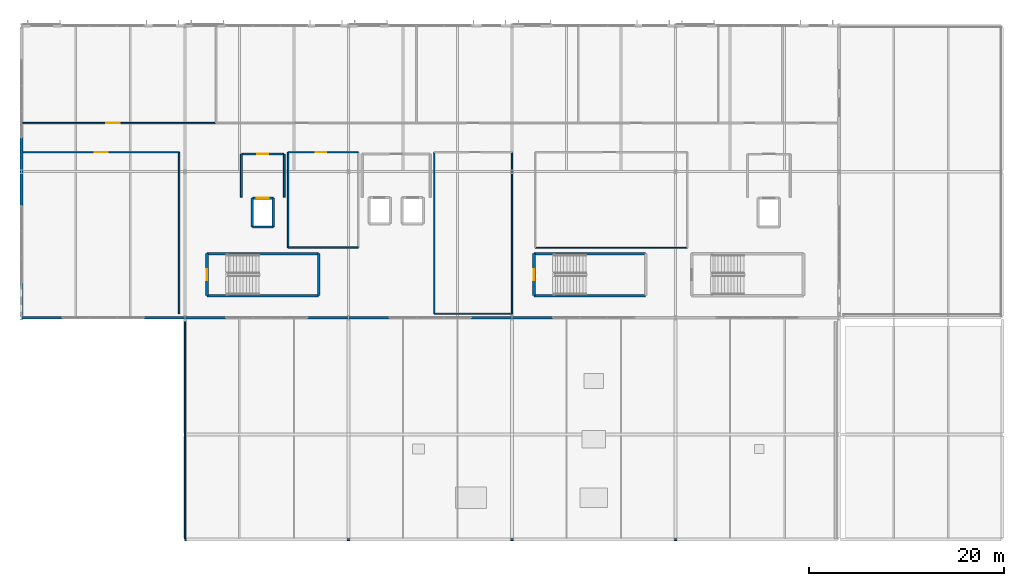
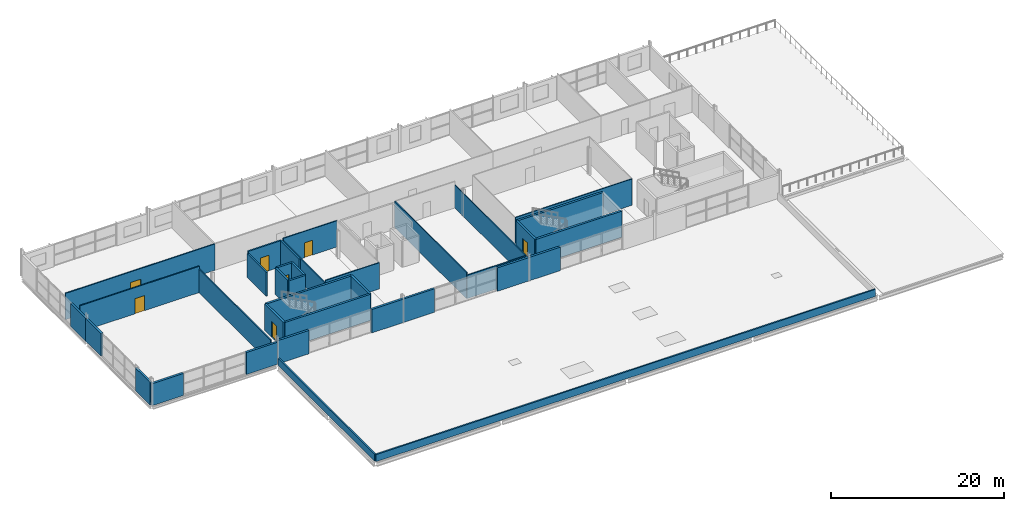
# One storey, part 29 of 36: 36 walls, 7 doors, 7 openings.
"""IFC4 building model written with IfcOpenShell, lengths in metres."""

from ifc_helpers import new_model, si_unit, direction, frame, frame_2d, origin, place, context, subcontext, project, spatial, rectangle, extrude, material, layer, layer_set, type_object, element, fill, save


model = new_model("IFC4")

# Units and contexts
model_context = context("Model", 3, precision=1e-05, world=origin(), true_north=direction((0.0, 1.0)))
body_context = subcontext(model_context, "Body", "Model", "MODEL_VIEW")
ifc_project = project(units=[si_unit("LENGTHUNIT", "METRE"), si_unit("AREAUNIT", "SQUARE_METRE"), si_unit("VOLUMEUNIT", "CUBIC_METRE"), si_unit("PLANEANGLEUNIT", "RADIAN"), si_unit("MASSUNIT", "GRAM", prefix="KILO")], contexts=[model_context])

# Site, building, storey
site_placement = place(None, origin())
site = spatial("IfcSite", under=ifc_project, at=site_placement, CompositionType="ELEMENT")
building_placement = place(site_placement, origin())
building = spatial("IfcBuilding", under=site, at=building_placement, Name="Kimbaza Rail Terminus", CompositionType="ELEMENT")
storey_placement = place(building_placement, frame((0.0, 0.0, 21.0)))
storey = spatial("IfcBuildingStorey", under=building, at=storey_placement, Name="L04", CompositionType="ELEMENT", Elevation=21.0)

# Walls
ifc_material_1 = material(Name="Precast concrete C40/50", Category="concrete")
ifc_layer_1 = layer(ifc_material_1, 0.280029296875)
ifc_layer_set_1 = layer_set([ifc_layer_1], Name="Precast concrete C40/50")
wall_type_1 = type_object("IfcWallType", Name="ARC-WL-EXT280", PredefinedType="STANDARD", material=ifc_layer_set_1)
for number, where, z_axis, x_axis, name in (
    (1, (55.199951171875, 103.0, 0.0), (0.0, 0.0, 1.0), (1.0, 0.0, 0.0), "Operations South Wall L04 0A"),
    (2, (67.800048828125, 103.0, 0.0), (0.0, 0.0, 1.0), (1.0, 0.0, 0.0), "Operations South Wall L04 0B"),
):
    element("IfcWall", number, at=place(storey_placement, frame(where, z_axis=z_axis, x_axis=x_axis)), inside=storey, type_object=wall_type_1, Name=name, PredefinedType="STANDARD", context=body_context, shape_type="SweptSolid", body=[
        extrude(rectangle(XDim=4.199951171875, YDim=0.280029296875, at=frame_2d((2.10009765625, 0.0))), origin(), (0.0, 0.0, 1.0), 3.10498046875),
    ])
for number, where, z_axis, x_axis, name in (
    (3, (72.0, 103.0, 0.0), (0.0, 0.0, 1.0), (1.0, 0.0, 0.0), "Operations South Wall L04 1A"),
    (4, (84.60009765625, 103.0, 0.0), (0.0, 0.0, 1.0), (1.0, 0.0, 0.0), "Operations South Wall L04 1B"),
    (5, (88.800048828125, 103.0, 0.0), (0.0, 0.0, 1.0), (1.0, 0.0, 0.0), "Operations South Wall L04 2A"),
):
    element("IfcWall", number, at=place(storey_placement, frame(where, z_axis=z_axis, x_axis=x_axis)), inside=storey, type_object=wall_type_1, Name=name, PredefinedType="STANDARD", context=body_context, shape_type="SweptSolid", body=[
        extrude(rectangle(XDim=4.199951171875, YDim=0.280029296875, at=frame_2d((2.10009765625, 0.0))), origin(), (0.0, 0.0, 1.0), 3.31494140625),
    ])
wall_1_placement = place(storey_placement, frame((101.39990234375, 103.0, 0.0), z_axis=(0.0, 0.0, 1.0), x_axis=(1.0, 0.0, 0.0)))
element("IfcWall", 6, at=wall_1_placement, inside=storey, type_object=wall_type_1, Name="Operations South Wall L04 2B", PredefinedType="STANDARD", context=body_context, shape_type="SweptSolid", body=[
    extrude(rectangle(XDim=4.2001953125, YDim=0.280029296875, at=frame_2d((2.10009765625, 0.0))), origin(), (0.0, 0.0, 1.0), 3.31494140625),
])
wall_2_placement = place(storey_placement, frame((105.60009765625, 103.0, 0.0), z_axis=(0.0, 0.0, 1.0), x_axis=(1.0, 0.0, 0.0)))
element("IfcWall", 7, at=wall_2_placement, inside=storey, type_object=wall_type_1, Name="Operations South Wall L04 3A", PredefinedType="STANDARD", context=body_context, shape_type="SweptSolid", body=[
    extrude(rectangle(XDim=4.199951171875, YDim=0.280029296875, at=frame_2d((2.10009765625, 0.0))), origin(), (0.0, 0.0, 1.0), 3.31494140625),
])
wall_3_placement = place(storey_placement, frame((55.199951171875, 103.139892578125, 0.0), z_axis=(0.0, 0.0, 1.0), x_axis=(0.0, 1.0, 0.0)))
element("IfcWall", 8, at=wall_3_placement, inside=storey, type_object=wall_type_1, Name="Operations W End Pier L04", PredefinedType="STANDARD", context=body_context, shape_type="SweptSolid", body=[
    extrude(rectangle(XDim=3.360107421875, YDim=0.280029296875, at=frame_2d((1.68017578125, 0.0))), origin(), (0.0, 0.0, 1.0), 3.205078125),
])
for number, where, z_axis, x_axis, name in (
    (9, (55.199951171875, 114.5, 0.0), (0.0, 0.0, 1.0), (0.0, 1.0, 0.0), "Operations W Corner Wall L04"),
    (10, (55.199951171875, 118.0, 0.0), (0.0, 0.0, 1.0), (0.0, 1.0, 0.0), "Operations W End Pier L04"),
):
    element("IfcWall", number, at=place(storey_placement, frame(where, z_axis=z_axis, x_axis=x_axis)), inside=storey, type_object=wall_type_1, Name=name, PredefinedType="STANDARD", context=body_context, shape_type="SweptSolid", body=[
        extrude(rectangle(XDim=3.5, YDim=0.280029296875, at=frame_2d((1.75, 0.0))), origin(), (0.0, 0.0, 1.0), 3.205078125),
    ])
ifc_material_2 = material(Name="Concrete blockwork C30/37", Category="masonry")
ifc_layer_2 = layer(ifc_material_2, 0.199951171875)
ifc_layer_set_2 = layer_set([ifc_layer_2], Name="Concrete blockwork C30/37")
wall_type_2 = type_object("IfcWallType", Name="ARC-WL-FIRE200", PredefinedType="PARTITIONING", material=ifc_layer_set_2)
wall_4_placement = place(storey_placement, frame((82.199951171875, 115.39990234375, 0.0), z_axis=(0.0, 0.0, 1.0), x_axis=(0.0, 1.0, 0.0)))
element("IfcWall", 11, at=wall_4_placement, inside=storey, type_object=wall_type_2, Name="Firefighting Lobby LF-01 Partition (east)", PredefinedType="PARTITIONING", context=body_context, shape_type="SweptSolid", body=[
    extrude(rectangle(XDim=4.400146484375, YDim=0.199951171875, at=frame_2d((2.2001953125, 0.0))), origin(), (0.0, 0.0, 1.0), 3.7099609375),
])

# Wall, opening, door
wall_5_placement = place(storey_placement, frame((82.199951171875, 119.800048828125, 0.0), z_axis=(0.0, 0.0, 1.0), x_axis=(-1.0, 0.0, 0.0)))
wall_5 = element("IfcWall", 12, at=wall_5_placement, inside=storey, type_object=wall_type_2, Name="Firefighting Lobby LF-01 Partition (north)", PredefinedType="PARTITIONING", context=body_context, shape_type="SweptSolid", body=[
    extrude(rectangle(XDim=4.39990234375, YDim=0.199951171875, at=frame_2d((2.199951171875, 0.0))), origin(), (0.0, 0.0, 1.0), 3.7099609375),
])
opening_1_placement = place(wall_5_placement, frame((2.77490234375, 0.0, 0.0), z_axis=(0.0, 0.0, 1.0), x_axis=(-1.0, 0.0, 0.0)))
opening_1 = element("IfcOpeningElement", 13, at=opening_1_placement, cuts=wall_5, Name="Opening FD-03", PredefinedType="OPENING", context=body_context, shape_type="SweptSolid", body=[
    extrude(rectangle(XDim=1.14990234375, YDim=2.199951171875, at=frame_2d((0.574951171875, 1.10009765625))), frame((0.0, 0.10986328125, 0.0), z_axis=(0.0, -1.0, 0.0), x_axis=(1.0, 0.0, 0.0)), (0.0, 0.0, 1.0), 0.219970703125),
])
ifc_material_3 = material(Name="Firefighting lobby self-closing steel door", Category="steel")
door_type_1 = type_object("IfcDoorType", Name="ARC-DR-FD115", OperationType="NOTDEFINED", PredefinedType="DOOR", material=ifc_material_3)
door_1_placement = place(opening_1_placement, origin())
door_1 = element("IfcDoor", 14, at=door_1_placement, inside=storey, type_object=door_type_1, Name="IDR-SPC-FFL-LF-01-L04", OperationType="SINGLE_SWING_RIGHT", OverallHeight=2.199951171875, OverallWidth=1.14990234375, PredefinedType="DOOR", context=body_context, shape_type="SweptSolid", body=[
    extrude(rectangle(XDim=1.14990234375, YDim=2.199951171875, at=frame_2d((0.574951171875, 1.10009765625))), frame((0.0, 0.02490234375, 0.0), z_axis=(0.0, -1.0, 0.0), x_axis=(1.0, 0.0, 0.0)), (0.0, 0.0, 1.0), 0.050048828125),
])
fill(opening_1, door_1)

# Walls
wall_6_placement = place(storey_placement, frame((77.800048828125, 119.800048828125, 0.0), z_axis=(0.0, 0.0, 1.0), x_axis=(0.0, -1.0, 0.0)))
element("IfcWall", 15, at=wall_6_placement, inside=storey, type_object=wall_type_2, Name="Firefighting Lobby LF-01 Partition (west)", PredefinedType="PARTITIONING", context=body_context, shape_type="SweptSolid", body=[
    extrude(rectangle(XDim=4.400146484375, YDim=0.199951171875, at=frame_2d((2.2001953125, 0.0))), origin(), (0.0, 0.0, 1.0), 3.375),
])
ifc_material_4 = material(Name="Precast concrete C40/50", Category="concrete")
ifc_layer_3 = layer(ifc_material_4, 0.18994140625)
ifc_layer_set_3 = layer_set([ifc_layer_3], Name="Precast concrete C40/50")
wall_type_3 = type_object("IfcWallType", Name="ARC-WL-PAR190", PredefinedType="PARAPET", material=ifc_layer_set_3)
wall_7_placement = place(storey_placement, frame((72.0, 80.199951171875, 0.0), z_axis=(0.0, 0.0, 1.0), x_axis=(1.0, 0.0, 0.0)))
element("IfcWall", 16, at=wall_7_placement, inside=storey, type_object=wall_type_3, Name="Footbridge Roof Parapet 1", PredefinedType="PARAPET", context=body_context, shape_type="SweptSolid", body=[
    extrude(rectangle(XDim=66.800048828125, YDim=0.18994140625, at=frame_2d((33.39990234375, 0.0))), origin(), (0.0, 0.0, 1.0), 1.0),
])
wall_8_placement = place(storey_placement, frame((72.0, 102.60009765625, 0.0), z_axis=(0.0, 0.0, 1.0), x_axis=(0.0, -1.0, 0.0)))
element("IfcWall", 17, at=wall_8_placement, inside=storey, type_object=wall_type_3, Name="Footbridge Roof Parapet 3", PredefinedType="PARAPET", context=body_context, shape_type="SweptSolid", body=[
    extrude(rectangle(XDim=22.30517578125, YDim=0.18994140625, at=frame_2d((11.152587890625, 0.0))), origin(), (0.0, 0.0, 1.0), 1.0),
])
ifc_material_5 = material(Name="Moisture-resistant stud wall", Category="gypsum")
ifc_layer_4 = layer(ifc_material_5, 0.1201171875)
ifc_layer_set_4 = layer_set([ifc_layer_4], Name="Moisture-resistant stud wall")
wall_type_4 = type_object("IfcWallType", Name="ARC-WL-PART120", PredefinedType="PARTITIONING", material=ifc_layer_set_4)
wall_9_placement = place(storey_placement, frame((108.0, 110.199951171875, 0.0), z_axis=(0.0, 0.0, 1.0), x_axis=(1.0, 0.0, 0.0)))
element("IfcWall", 18, at=wall_9_placement, inside=storey, type_object=wall_type_4, Name="L04 Rolling Stock Rostering Studio Partition (south)", PredefinedType="PARTITIONING", context=body_context, shape_type="SweptSolid", body=[
    extrude(rectangle(XDim=15.60009765625, YDim=0.1201171875, at=frame_2d((7.800048828125, 0.0))), origin(), (0.0, 0.0, 1.0), 3.7099609375),
])
ifc_material_6 = material(Name="Acoustic gypsum stud partition", Category="gypsum")
ifc_layer_5 = layer(ifc_material_6, 0.1298828125)
ifc_layer_set_5 = layer_set([ifc_layer_5], Name="Acoustic gypsum stud partition")
wall_type_5 = type_object("IfcWallType", Name="ARC-WL-PART130", PredefinedType="PARTITIONING", material=ifc_layer_set_5)
wall_10_placement = place(storey_placement, frame((97.60009765625, 103.39990234375, 0.0), z_axis=(0.0, 0.0, 1.0), x_axis=(1.0, 0.0, 0.0)))
element("IfcWall", 19, at=wall_10_placement, inside=storey, type_object=wall_type_5, Name="L04 Network Dispatch Briefing Room Partition (south)", PredefinedType="PARTITIONING", context=body_context, shape_type="SweptSolid", body=[
    extrude(rectangle(XDim=8.0, YDim=0.1298828125, at=frame_2d((4.0, 0.0))), origin(), (0.0, 0.0, 1.0), 3.31494140625),
])
wall_11_placement = place(storey_placement, frame((105.60009765625, 103.39990234375, 0.0), z_axis=(0.0, 0.0, 1.0), x_axis=(0.0, 1.0, 0.0)))
element("IfcWall", 20, at=wall_11_placement, inside=storey, type_object=wall_type_5, Name="L04 Network Dispatch Briefing Room Partition (east)", PredefinedType="PARTITIONING", context=body_context, shape_type="SweptSolid", body=[
    extrude(rectangle(XDim=16.60009765625, YDim=0.1298828125, at=frame_2d((8.300048828125, 0.0))), origin(), (0.0, 0.0, 1.0), 3.205078125),
])
wall_12_placement = place(storey_placement, frame((97.60009765625, 120.0, 0.0), z_axis=(0.0, 0.0, 1.0), x_axis=(0.0, -1.0, 0.0)))
element("IfcWall", 21, at=wall_12_placement, inside=storey, type_object=wall_type_5, Name="L04 Network Dispatch Briefing Room Partition (west)", PredefinedType="PARTITIONING", context=body_context, shape_type="SweptSolid", body=[
    extrude(rectangle(XDim=16.60009765625, YDim=0.1298828125, at=frame_2d((8.300048828125, 0.0))), origin(), (0.0, 0.0, 1.0), 3.7099609375),
])
ifc_material_7 = material(Name="Acoustic gypsum stud partition", Category="gypsum")
ifc_layer_6 = layer(ifc_material_7, 0.139892578125)
ifc_layer_set_6 = layer_set([ifc_layer_6], Name="Acoustic gypsum stud partition")
wall_type_6 = type_object("IfcWallType", Name="ARC-WL-PART140", PredefinedType="PARTITIONING", material=ifc_layer_set_6)
wall_13_placement = place(storey_placement, frame((82.60009765625, 110.199951171875, 0.0), z_axis=(0.0, 0.0, 1.0), x_axis=(1.0, 0.0, 0.0)))
element("IfcWall", 22, at=wall_13_placement, inside=storey, type_object=wall_type_6, Name="L04 Traction Metering Workshop Partition (south)", PredefinedType="PARTITIONING", context=body_context, shape_type="SweptSolid", body=[
    extrude(rectangle(XDim=7.199951171875, YDim=0.139892578125, at=frame_2d((3.60009765625, 0.0))), origin(), (0.0, 0.0, 1.0), 3.7099609375),
])

# Wall, opening, door
wall_14_placement = place(storey_placement, frame((89.800048828125, 120.0, 0.0), z_axis=(0.0, 0.0, 1.0), x_axis=(-1.0, 0.0, 0.0)))
wall_14 = element("IfcWall", 23, at=wall_14_placement, inside=storey, type_object=wall_type_6, Name="L04 Traction Metering Workshop Partition (north)", PredefinedType="PARTITIONING", context=body_context, shape_type="SweptSolid", body=[
    extrude(rectangle(XDim=7.199951171875, YDim=0.139892578125, at=frame_2d((3.60009765625, 0.0))), origin(), (0.0, 0.0, 1.0), 3.7099609375),
])
opening_2_placement = place(wall_14_placement, frame((3.260009765625, 0.0, 0.0)))
opening_2 = element("IfcOpeningElement", 24, at=opening_2_placement, cuts=wall_14, Name="Opening ID-09", PredefinedType="OPENING", context=body_context, shape_type="SweptSolid", body=[
    extrude(rectangle(XDim=1.080078125, YDim=2.10009765625, at=frame_2d((0.5400390625, 1.050048828125))), frame((0.0, 0.079833984375, 0.0), z_axis=(0.0, -1.0, 0.0), x_axis=(1.0, 0.0, 0.0)), (0.0, 0.0, 1.0), 0.159912109375),
])
ifc_material_8 = material(Name="Signalling technical suite door", Category="steel")
door_type_2 = type_object("IfcDoorType", Name="ARC-DR-ID108", OperationType="NOTDEFINED", PredefinedType="DOOR", material=ifc_material_8)
door_2_placement = place(opening_2_placement, origin())
door_2 = element("IfcDoor", 25, at=door_2_placement, inside=storey, type_object=door_type_2, Name="IDR-SPC-V5S-L04-2", OperationType="SINGLE_SWING_RIGHT", OverallHeight=2.10009765625, OverallWidth=1.080078125, PredefinedType="DOOR", context=body_context, shape_type="SweptSolid", body=[
    extrude(rectangle(XDim=1.080078125, YDim=2.10009765625, at=frame_2d((0.5400390625, 1.050048828125))), frame((0.0, 0.02490234375, 0.0), z_axis=(0.0, -1.0, 0.0), x_axis=(1.0, 0.0, 0.0)), (0.0, 0.0, 1.0), 0.050048828125),
])
fill(opening_2, door_2)

# Wall
wall_15_placement = place(storey_placement, frame((82.60009765625, 120.0, 0.0), z_axis=(0.0, 0.0, 1.0), x_axis=(0.0, -1.0, 0.0)))
element("IfcWall", 26, at=wall_15_placement, inside=storey, type_object=wall_type_6, Name="L04 Traction Metering Workshop Partition (west)", PredefinedType="PARTITIONING", context=body_context, shape_type="SweptSolid", body=[
    extrude(rectangle(XDim=9.800048828125, YDim=0.139892578125, at=frame_2d((4.89990234375, 0.0))), origin(), (0.0, 0.0, 1.0), 3.375),
])

# Wall, opening, door
ifc_material_9 = material(Name="Acoustic gypsum stud partition", Category="gypsum")
ifc_layer_7 = layer(ifc_material_9, 0.14990234375)
ifc_layer_set_7 = layer_set([ifc_layer_7], Name="Acoustic gypsum stud partition")
wall_type_7 = type_object("IfcWallType", Name="ARC-WL-PART150", PredefinedType="PARTITIONING", material=ifc_layer_set_7)
wall_16_placement = place(storey_placement, frame((55.219970703125, 123.0, 0.0), z_axis=(0.0, 0.0, 1.0), x_axis=(1.0, 0.0, 0.0)))
wall_16 = element("IfcWall", 27, at=wall_16_placement, inside=storey, type_object=wall_type_7, Name="National Timetable Planning Studio Partition (south)", PredefinedType="PARTITIONING", context=body_context, shape_type="SweptSolid", body=[
    extrude(rectangle(XDim=19.97998046875, YDim=0.14990234375, at=frame_2d((9.989990234375, 0.0))), origin(), (0.0, 0.0, 1.0), 3.7099609375),
])
opening_3_placement = place(wall_16_placement, frame((8.705078125, 0.0, 0.0)))
opening_3 = element("IfcOpeningElement", 28, at=opening_3_placement, cuts=wall_16, Name="Opening ID-02", PredefinedType="OPENING", context=body_context, shape_type="SweptSolid", body=[
    extrude(rectangle(XDim=1.35009765625, YDim=2.199951171875, at=frame_2d((0.675048828125, 1.10009765625))), frame((0.0, 0.0849609375, 0.0), z_axis=(0.0, -1.0, 0.0), x_axis=(1.0, 0.0, 0.0)), (0.0, 0.0, 1.0), 0.169921875),
])
ifc_material_10 = material(Name="Anodised aluminium glazed lounge door", Category="aluminium")
door_type_3 = type_object("IfcDoorType", Name="ARC-DR-ID135", OperationType="NOTDEFINED", PredefinedType="DOOR", material=ifc_material_10)
door_3_placement = place(opening_3_placement, origin())
door_3 = element("IfcDoor", 29, at=door_3_placement, inside=storey, type_object=door_type_3, Name="IDR-SPC-V5N-L04-01", OperationType="SINGLE_SWING_LEFT", OverallHeight=2.199951171875, OverallWidth=1.35009765625, PredefinedType="DOOR", context=body_context, shape_type="SweptSolid", body=[
    extrude(rectangle(XDim=1.35009765625, YDim=2.199951171875, at=frame_2d((0.675048828125, 1.10009765625))), frame((0.0, 0.02490234375, 0.0), z_axis=(0.0, -1.0, 0.0), x_axis=(1.0, 0.0, 0.0)), (0.0, 0.0, 1.0), 0.050048828125),
])
fill(opening_3, door_3)

# Wall
wall_17_placement = place(storey_placement, frame((71.39990234375, 103.39990234375, 0.0), z_axis=(0.0, 0.0, 1.0), x_axis=(0.0, 1.0, 0.0)))
element("IfcWall", 30, at=wall_17_placement, inside=storey, type_object=wall_type_7, Name="L04 West Signalling Design Office Partition (east)", PredefinedType="PARTITIONING", context=body_context, shape_type="SweptSolid", body=[
    extrude(rectangle(XDim=16.60009765625, YDim=0.14990234375, at=frame_2d((8.300048828125, 0.0))), origin(), (0.0, 0.0, 1.0), 3.31494140625),
])

# Wall, opening, door
wall_18_placement = place(storey_placement, frame((71.39990234375, 120.0, 0.0), z_axis=(0.0, 0.0, 1.0), x_axis=(-1.0, 0.0, 0.0)))
wall_18 = element("IfcWall", 31, at=wall_18_placement, inside=storey, type_object=wall_type_7, Name="L04 West Signalling Design Office Partition (north)", PredefinedType="PARTITIONING", context=body_context, shape_type="SweptSolid", body=[
    extrude(rectangle(XDim=16.0, YDim=0.14990234375, at=frame_2d((8.0, 0.0))), origin(), (0.0, 0.0, 1.0), 3.7099609375),
])
opening_4_placement = place(wall_18_placement, frame((7.35009765625, 0.0, 0.0)))
opening_4 = element("IfcOpeningElement", 32, at=opening_4_placement, cuts=wall_18, Name="Opening ID-08", PredefinedType="OPENING", context=body_context, shape_type="SweptSolid", body=[
    extrude(rectangle(XDim=1.300048828125, YDim=2.14990234375, at=frame_2d((0.64990234375, 1.074951171875))), frame((0.0, 0.0849609375, 0.0), z_axis=(0.0, -1.0, 0.0), x_axis=(1.0, 0.0, 0.0)), (0.0, 0.0, 1.0), 0.169921875),
])
ifc_material_11 = material(Name="Training classroom acoustic door", Category="wood")
door_type_4 = type_object("IfcDoorType", Name="ARC-DR-ID130", OperationType="NOTDEFINED", PredefinedType="DOOR", material=ifc_material_11)
door_4_placement = place(opening_4_placement, origin())
door_4 = element("IfcDoor", 33, at=door_4_placement, inside=storey, type_object=door_type_4, Name="IDR-SPC-V5S-L04-1", OperationType="SINGLE_SWING_LEFT", OverallHeight=2.14990234375, OverallWidth=1.300048828125, PredefinedType="DOOR", context=body_context, shape_type="SweptSolid", body=[
    extrude(rectangle(XDim=1.300048828125, YDim=2.14990234375, at=frame_2d((0.64990234375, 1.074951171875))), frame((0.0, 0.02490234375, 0.0), z_axis=(0.0, -1.0, 0.0), x_axis=(1.0, 0.0, 0.0)), (0.0, 0.0, 1.0), 0.050048828125),
])
fill(opening_4, door_4)

# Walls
ifc_material_12 = material(Name="Concrete C40/50", Category="concrete")
ifc_layer_8 = layer(ifc_material_12, 0.25)
ifc_layer_set_8 = layer_set([ifc_layer_8], Name="Concrete C40/50")
wall_type_8 = type_object("IfcWallType", Name="STR-WL-CORE250", PredefinedType="SHEAR", material=ifc_layer_set_8)
wall_19_placement = place(storey_placement, frame((78.919921875, 112.320068359375, 0.0), z_axis=(0.0, 0.0, 1.0), x_axis=(1.0, 0.0, 0.0)))
element("IfcWall", 34, at=wall_19_placement, inside=storey, type_object=wall_type_8, Name="Lift Shaft Wall LF-01 L04-1", PredefinedType="SHEAR", context=body_context, shape_type="SweptSolid", body=[
    extrude(rectangle(XDim=2.16015625, YDim=0.25, at=frame_2d((1.080078125, 0.0))), origin(), (0.0, 0.0, 1.0), 3.7099609375),
])
wall_20_placement = place(storey_placement, frame((81.080078125, 112.320068359375, 0.0), z_axis=(0.0, 0.0, 1.0), x_axis=(0.0, 1.0, 0.0)))
element("IfcWall", 35, at=wall_20_placement, inside=storey, type_object=wall_type_8, Name="Lift Shaft Wall LF-01 L04-2", PredefinedType="SHEAR", context=body_context, shape_type="SweptSolid", body=[
    extrude(rectangle(XDim=2.9599609375, YDim=0.25, at=frame_2d((1.47998046875, 0.0))), origin(), (0.0, 0.0, 1.0), 3.7099609375),
])

# Wall, opening, door
wall_21_placement = place(storey_placement, frame((81.080078125, 115.280029296875, 0.0), z_axis=(0.0, 0.0, 1.0), x_axis=(-1.0, 0.0, 0.0)))
wall_21 = element("IfcWall", 36, at=wall_21_placement, inside=storey, type_object=wall_type_8, Name="Lift Shaft Wall LF-01 L04-3", PredefinedType="SHEAR", context=body_context, shape_type="SweptSolid", body=[
    extrude(rectangle(XDim=2.16015625, YDim=0.25, at=frame_2d((1.080078125, 0.0))), origin(), (0.0, 0.0, 1.0), 3.7099609375),
])
opening_5_placement = place(wall_21_placement, frame((0.47998046875, 0.0, 0.0)))
opening_5 = element("IfcOpeningElement", 37, at=opening_5_placement, cuts=wall_21, Name="Opening LD-02", PredefinedType="OPENING", context=body_context, shape_type="SweptSolid", body=[
    extrude(rectangle(XDim=1.199951171875, YDim=2.199951171875, at=frame_2d((0.60009765625, 1.10009765625))), frame((0.0, 0.135009765625, 0.0), z_axis=(0.0, -1.0, 0.0), x_axis=(1.0, 0.0, 0.0)), (0.0, 0.0, 1.0), 0.27001953125),
])
ifc_material_13 = material(Name="Firefighting stainless steel landing door", Category="steel")
door_type_5 = type_object("IfcDoorType", Name="ARC-DR-LD120", OperationType="NOTDEFINED", PredefinedType="DOOR", material=ifc_material_13)
door_5_placement = place(opening_5_placement, origin())
door_5 = element("IfcDoor", 38, at=door_5_placement, inside=storey, type_object=door_type_5, Name="LDR-LF-01-L04", OperationType="SLIDING_TO_RIGHT", OverallHeight=2.199951171875, OverallWidth=1.199951171875, PredefinedType="DOOR", context=body_context, shape_type="SweptSolid", body=[
    extrude(rectangle(XDim=1.199951171875, YDim=2.199951171875, at=frame_2d((0.60009765625, 1.10009765625))), frame((0.0, 0.02490234375, 0.0), z_axis=(0.0, -1.0, 0.0), x_axis=(1.0, 0.0, 0.0)), (0.0, 0.0, 1.0), 0.050048828125),
])
fill(opening_5, door_5)

# Walls
wall_22_placement = place(storey_placement, frame((78.919921875, 115.280029296875, 0.0), z_axis=(0.0, 0.0, 1.0), x_axis=(0.0, -1.0, 0.0)))
element("IfcWall", 39, at=wall_22_placement, inside=storey, type_object=wall_type_8, Name="Lift Shaft Wall LF-01 L04-4", PredefinedType="SHEAR", context=body_context, shape_type="SweptSolid", body=[
    extrude(rectangle(XDim=2.9599609375, YDim=0.25, at=frame_2d((1.47998046875, 0.0))), origin(), (0.0, 0.0, 1.0), 3.7099609375),
])
ifc_material_14 = material(Name="Concrete C40/50", Category="concrete")
ifc_layer_9 = layer(ifc_material_14, 0.280029296875)
ifc_layer_set_9 = layer_set([ifc_layer_9], Name="Concrete C40/50")
wall_type_9 = type_object("IfcWallType", Name="STR-WL-CORE280", PredefinedType="SHEAR", material=ifc_layer_set_9)
wall_23_placement = place(storey_placement, frame((74.260009765625, 105.260009765625, 0.0), z_axis=(0.0, 0.0, 1.0), x_axis=(1.0, 0.0, 0.0)))
element("IfcWall", 40, at=wall_23_placement, inside=storey, type_object=wall_type_9, Name="Operations West Exit Stair Shaft Wall L04-1", PredefinedType="SHEAR", context=body_context, shape_type="SweptSolid", body=[
    extrude(rectangle(XDim=11.47998046875, YDim=0.280029296875, at=frame_2d((5.739990234375, 0.0))), origin(), (0.0, 0.0, 1.0), 3.7099609375),
])
wall_24_placement = place(storey_placement, frame((85.739990234375, 105.260009765625, 0.0), z_axis=(0.0, 0.0, 1.0), x_axis=(0.0, 1.0, 0.0)))
element("IfcWall", 41, at=wall_24_placement, inside=storey, type_object=wall_type_9, Name="Operations West Exit Stair Shaft Wall L04-2", PredefinedType="SHEAR", context=body_context, shape_type="SweptSolid", body=[
    extrude(rectangle(XDim=4.320068359375, YDim=0.280029296875, at=frame_2d((2.16015625, 0.0))), origin(), (0.0, 0.0, 1.0), 3.7099609375),
])
wall_25_placement = place(storey_placement, frame((85.739990234375, 109.580078125, 0.0), z_axis=(0.0, 0.0, 1.0), x_axis=(-1.0, 0.0, 0.0)))
element("IfcWall", 42, at=wall_25_placement, inside=storey, type_object=wall_type_9, Name="Operations West Exit Stair Shaft Wall L04-3", PredefinedType="SHEAR", context=body_context, shape_type="SweptSolid", body=[
    extrude(rectangle(XDim=11.47998046875, YDim=0.280029296875, at=frame_2d((5.739990234375, 0.0))), origin(), (0.0, 0.0, 1.0), 3.7099609375),
])

# Wall, opening, door
wall_26_placement = place(storey_placement, frame((74.260009765625, 109.580078125, 0.0), z_axis=(0.0, 0.0, 1.0), x_axis=(0.0, -1.0, 0.0)))
wall_26 = element("IfcWall", 43, at=wall_26_placement, inside=storey, type_object=wall_type_9, Name="Operations West Exit Stair Shaft Wall L04-4", PredefinedType="SHEAR", context=body_context, shape_type="SweptSolid", body=[
    extrude(rectangle(XDim=4.320068359375, YDim=0.280029296875, at=frame_2d((2.16015625, 0.0))), origin(), (0.0, 0.0, 1.0), 3.7099609375),
])
opening_6_placement = place(wall_26_placement, frame((1.5849609375, 0.0, 0.0)))
opening_6 = element("IfcOpeningElement", 44, at=opening_6_placement, cuts=wall_26, Name="Opening FD-03", PredefinedType="OPENING", context=body_context, shape_type="SweptSolid", body=[
    extrude(rectangle(XDim=1.14990234375, YDim=2.199951171875, at=frame_2d((0.574951171875, 1.10009765625))), frame((0.0, 0.14990234375, 0.0), z_axis=(0.0, -1.0, 0.0), x_axis=(1.0, 0.0, 0.0)), (0.0, 0.0, 1.0), 0.300048828125),
])
door_6_placement = place(opening_6_placement, origin())
door_6 = element("IfcDoor", 45, at=door_6_placement, inside=storey, type_object=door_type_1, Name="SDR-ST-W1-L04", OperationType="SINGLE_SWING_RIGHT", OverallHeight=2.199951171875, OverallWidth=1.14990234375, PredefinedType="DOOR", context=body_context, shape_type="SweptSolid", body=[
    extrude(rectangle(XDim=1.14990234375, YDim=2.199951171875, at=frame_2d((0.574951171875, 1.10009765625))), frame((0.0, 0.02490234375, 0.0), z_axis=(0.0, -1.0, 0.0), x_axis=(1.0, 0.0, 0.0)), (0.0, 0.0, 1.0), 0.050048828125),
])
fill(opening_6, door_6)

# Walls
for number, where, z_axis, x_axis, name in (
    (46, (107.860107421875, 105.260009765625, 0.0), (0.0, 0.0, 1.0), (1.0, 0.0, 0.0), "Operations Central Exit Stair Shaft Wall L04-1"),
    (47, (119.340087890625, 109.580078125, 0.0), (0.0, 0.0, 1.0), (-1.0, 0.0, 0.0), "Operations Central Exit Stair Shaft Wall L04-3"),
):
    element("IfcWall", number, at=place(storey_placement, frame(where, z_axis=z_axis, x_axis=x_axis)), inside=storey, type_object=wall_type_9, Name=name, PredefinedType="SHEAR", context=body_context, shape_type="SweptSolid", body=[
        extrude(rectangle(XDim=11.47998046875, YDim=0.280029296875, at=frame_2d((5.739990234375, 0.0))), origin(), (0.0, 0.0, 1.0), 3.7099609375),
    ])

# Wall, opening, door
wall_27_placement = place(storey_placement, frame((107.860107421875, 109.580078125, 0.0), z_axis=(0.0, 0.0, 1.0), x_axis=(0.0, -1.0, 0.0)))
wall_27 = element("IfcWall", 48, at=wall_27_placement, inside=storey, type_object=wall_type_9, Name="Operations Central Exit Stair Shaft Wall L04-4", PredefinedType="SHEAR", context=body_context, shape_type="SweptSolid", body=[
    extrude(rectangle(XDim=4.320068359375, YDim=0.280029296875, at=frame_2d((2.16015625, 0.0))), origin(), (0.0, 0.0, 1.0), 3.7099609375),
])
opening_7_placement = place(wall_27_placement, frame((1.5849609375, 0.0, 0.0)))
opening_7 = element("IfcOpeningElement", 49, at=opening_7_placement, cuts=wall_27, Name="Opening FD-03", PredefinedType="OPENING", context=body_context, shape_type="SweptSolid", body=[
    extrude(rectangle(XDim=1.14990234375, YDim=2.199951171875, at=frame_2d((0.574951171875, 1.10009765625))), frame((0.0, 0.14990234375, 0.0), z_axis=(0.0, -1.0, 0.0), x_axis=(1.0, 0.0, 0.0)), (0.0, 0.0, 1.0), 0.300048828125),
])
door_7_placement = place(opening_7_placement, origin())
door_7 = element("IfcDoor", 50, at=door_7_placement, inside=storey, type_object=door_type_1, Name="SDR-ST-M1-L04", OperationType="SINGLE_SWING_RIGHT", OverallHeight=2.199951171875, OverallWidth=1.14990234375, PredefinedType="DOOR", context=body_context, shape_type="SweptSolid", body=[
    extrude(rectangle(XDim=1.14990234375, YDim=2.199951171875, at=frame_2d((0.574951171875, 1.10009765625))), frame((0.0, 0.02490234375, 0.0), z_axis=(0.0, -1.0, 0.0), x_axis=(1.0, 0.0, 0.0)), (0.0, 0.0, 1.0), 0.050048828125),
])
fill(opening_7, door_7)

save(model, "model.ifc")
